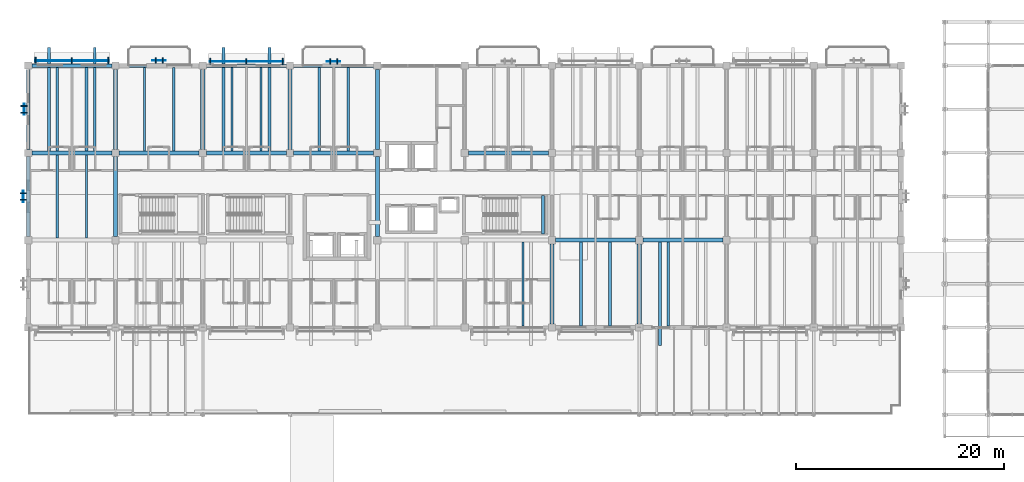
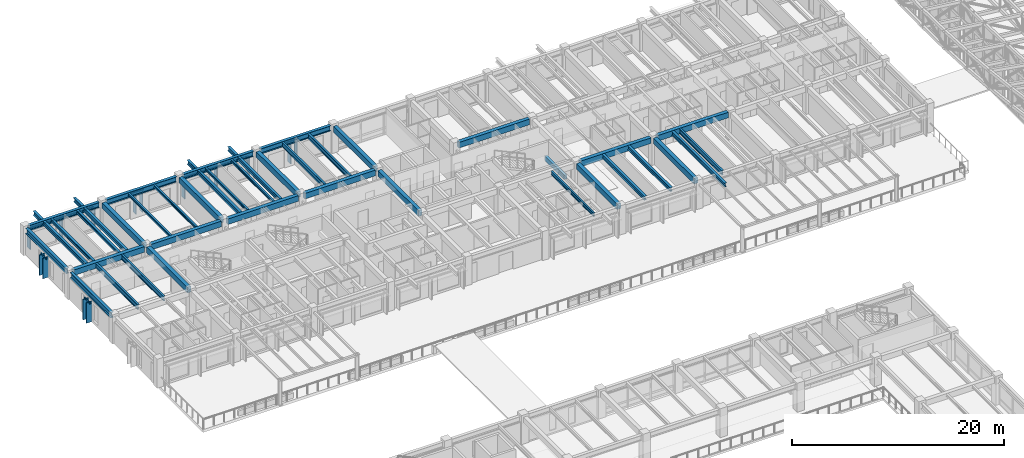
# One storey, part 16 of 111: 41 beams, 20 members, 6 elements without a shape of their own.
"""IFC4 building model written with IfcOpenShell, lengths in metres."""

from ifc_helpers import new_model, si_unit, direction, frame, origin, origin_2d, place, context, subcontext, project, spatial, rectangle, i_section, extrude, material, material_profile, profile_set, type_object, element, aggregate, save


model = new_model("IFC4")

# Units and contexts
model_context = context("Model", 3, precision=1e-05, world=origin(), true_north=direction((0.0, 1.0)))
body_context = subcontext(model_context, "Body", "Model", "MODEL_VIEW")
ifc_project = project(units=[si_unit("LENGTHUNIT", "METRE"), si_unit("AREAUNIT", "SQUARE_METRE"), si_unit("VOLUMEUNIT", "CUBIC_METRE"), si_unit("PLANEANGLEUNIT", "RADIAN"), si_unit("MASSUNIT", "GRAM", prefix="KILO")], contexts=[model_context])

# Site, building, storey
site_placement = place(None, origin())
site = spatial("IfcSite", under=ifc_project, at=site_placement, CompositionType="ELEMENT")
building_placement = place(site_placement, origin())
building = spatial("IfcBuilding", under=site, at=building_placement, Name="Cumbredor Promenade Congress Hotel", CompositionType="ELEMENT")
storey_placement = place(building_placement, frame((0.0, 0.0, 15.1201171875)))
storey = spatial("IfcBuildingStorey", under=building, at=storey_placement, Name="L04", CompositionType="ELEMENT", Elevation=15.1201171875)

# Beams
ifc_material_1 = material(Name="Concrete C40/50", Category="concrete")
ifc_material_profile_1 = material_profile(ifc_material_1, rectangle(XDim=0.39990234375, YDim=0.64990234375, at=origin_2d()), Name="RC BEAM 400x650")
ifc_profile_set_1 = profile_set([ifc_material_profile_1], Name="Concrete C40/50")
beam_type_1 = type_object("IfcBeamType", Name="BM-RC-400x650", PredefinedType="BEAM", material=ifc_profile_set_1)
beam_1_placement = place(storey_placement, frame((0.35009765625, 109.199951171875, 2.794921875), z_axis=(1.0, 0.0, 0.0), x_axis=(0.0, 1.0, 0.0)))
element("IfcBeam", 1, at=beam_1_placement, inside=storey, type_object=beam_type_1, Name="L05 X-Grid Beam 005", PredefinedType="BEAM", context=body_context, shape_type="SweptSolid", body=[
    extrude(rectangle(XDim=0.39990234375, YDim=0.64990234375, at=origin_2d()), origin(), (0.0, 0.0, 1.0), 7.699951171875),
])
beam_2_placement = place(storey_placement, frame((8.39990234375, 101.14990234375, 2.794921875), z_axis=(0.0, 1.0, 0.0), x_axis=(-1.0, 0.0, 0.0)))
element("IfcBeam", 2, at=beam_2_placement, inside=storey, type_object=beam_type_1, Name="L05 Y-Grid Beam 026", PredefinedType="BEAM", context=body_context, shape_type="SweptSolid", body=[
    extrude(rectangle(XDim=0.39990234375, YDim=0.64990234375, at=origin_2d()), origin(), (0.0, 0.0, 1.0), 7.7001953125),
])
for number, where, z_axis, x_axis, name in (
    (3, (8.75, 109.199951171875, 2.794921875), (1.0, 0.0, 0.0), (0.0, 1.0, 0.0), "L05 X-Grid Beam 027"),
    (4, (8.39990234375, 109.550048828125, 2.794921875), (0.0, 1.0, 0.0), (-1.0, 0.0, 0.0), "L05 Y-Grid Beam 028"),
):
    element("IfcBeam", number, at=place(storey_placement, frame(where, z_axis=z_axis, x_axis=x_axis)), inside=storey, type_object=beam_type_1, Name=name, PredefinedType="BEAM", context=body_context, shape_type="SweptSolid", body=[
        extrude(rectangle(XDim=0.39990234375, YDim=0.64990234375, at=origin_2d()), origin(), (0.0, 0.0, 1.0), 7.699951171875),
    ])
beam_3_placement = place(storey_placement, frame((17.14990234375, 109.199951171875, 2.794921875), z_axis=(1.0, 0.0, 0.0), x_axis=(0.0, 1.0, 0.0)))
element("IfcBeam", 5, at=beam_3_placement, inside=storey, type_object=beam_type_1, Name="L05 X-Grid Beam 042", PredefinedType="BEAM", context=body_context, shape_type="SweptSolid", body=[
    extrude(rectangle(XDim=0.39990234375, YDim=0.64990234375, at=origin_2d()), origin(), (0.0, 0.0, 1.0), 7.7001953125),
])
for number, where, z_axis, x_axis, name in (
    (6, (16.800048828125, 109.550048828125, 2.794921875), (0.0, 1.0, 0.0), (-1.0, 0.0, 0.0), "L05 Y-Grid Beam 043"),
    (7, (25.550048828125, 109.199951171875, 2.794921875), (1.0, 0.0, 0.0), (0.0, 1.0, 0.0), "L05 X-Grid Beam 052"),
    (8, (25.199951171875, 109.550048828125, 2.794921875), (0.0, 1.0, 0.0), (-1.0, 0.0, 0.0), "L05 Y-Grid Beam 053"),
):
    element("IfcBeam", number, at=place(storey_placement, frame(where, z_axis=z_axis, x_axis=x_axis)), inside=storey, type_object=beam_type_1, Name=name, PredefinedType="BEAM", context=body_context, shape_type="SweptSolid", body=[
        extrude(rectangle(XDim=0.39990234375, YDim=0.64990234375, at=origin_2d()), origin(), (0.0, 0.0, 1.0), 7.699951171875),
    ])
beam_4_placement = place(storey_placement, frame((33.60009765625, 101.14990234375, 2.794921875), z_axis=(0.0, 1.0, 0.0), x_axis=(-1.0, 0.0, 0.0)))
element("IfcBeam", 9, at=beam_4_placement, inside=storey, type_object=beam_type_1, Name="L05 Y-Grid Beam 063", PredefinedType="BEAM", context=body_context, shape_type="SweptSolid", body=[
    extrude(rectangle(XDim=0.39990234375, YDim=0.64990234375, at=origin_2d()), origin(), (0.0, 0.0, 1.0), 7.7001953125),
])
for number, where, z_axis, x_axis, name in (
    (10, (33.60009765625, 109.550048828125, 2.794921875), (0.0, 1.0, 0.0), (-1.0, 0.0, 0.0), "L05 Y-Grid Beam 064"),
    (11, (42.35009765625, 109.199951171875, 2.794921875), (1.0, 0.0, 0.0), (0.0, 1.0, 0.0), "L05 X-Grid Beam 074"),
    (12, (50.39990234375, 92.75, 2.794921875), (0.0, 1.0, 0.0), (-1.0, 0.0, 0.0), "L05 Y-Grid Beam 083"),
    (13, (50.75, 100.800048828125, 2.794921875), (1.0, 0.0, 0.0), (0.0, 1.0, 0.0), "L05 X-Grid Beam 084"),
    (14, (58.800048828125, 92.75, 2.794921875), (0.0, 1.0, 0.0), (-1.0, 0.0, 0.0), "L05 Y-Grid Beam 103"),
):
    element("IfcBeam", number, at=place(storey_placement, frame(where, z_axis=z_axis, x_axis=x_axis)), inside=storey, type_object=beam_type_1, Name=name, PredefinedType="BEAM", context=body_context, shape_type="SweptSolid", body=[
        extrude(rectangle(XDim=0.39990234375, YDim=0.64990234375, at=origin_2d()), origin(), (0.0, 0.0, 1.0), 7.699951171875),
    ])
beam_5_placement = place(storey_placement, frame((59.14990234375, 100.800048828125, 2.794921875), z_axis=(1.0, 0.0, 0.0), x_axis=(0.0, 1.0, 0.0)))
element("IfcBeam", 15, at=beam_5_placement, inside=storey, type_object=beam_type_1, Name="L05 X-Grid Beam 104", PredefinedType="BEAM", context=body_context, shape_type="SweptSolid", body=[
    extrude(rectangle(XDim=0.39990234375, YDim=0.64990234375, at=origin_2d()), origin(), (0.0, 0.0, 1.0), 7.7001953125),
])
ifc_material_2 = material(Name="Steel ASTM A992 Grade 50", Category="steel")
ifc_material_profile_2 = material_profile(ifc_material_2, i_section(OverallWidth=0.323974609375, OverallDepth=0.611083984375, WebThickness=0.0126953125, FlangeThickness=0.01904296875, at=origin_2d()), Name="W24X104")
ifc_profile_set_2 = profile_set([ifc_material_profile_2], Name="Steel ASTM A992 Grade 50")
beam_type_2 = type_object("IfcBeamType", Name="BM-W24X104", PredefinedType="BEAM", material=ifc_profile_set_2)
for number, where, z_axis, x_axis, name in (
    (16, (0.35009765625, 117.60009765625, 2.814453125), (1.0, 0.0, 0.0), (0.0, 1.0, 0.0), "L05 X-Grid Beam 007"),
    (17, (8.75, 117.60009765625, 2.814453125), (1.0, 0.0, 0.0), (0.0, 1.0, 0.0), "L05 X-Grid Beam 029"),
):
    element("IfcBeam", number, at=place(storey_placement, frame(where, z_axis=z_axis, x_axis=x_axis)), inside=storey, type_object=beam_type_2, Name=name, PredefinedType="BEAM", context=body_context, shape_type="SweptSolid", body=[
        extrude(i_section(OverallWidth=0.323974609375, OverallDepth=0.611083984375, WebThickness=0.0126953125, FlangeThickness=0.01904296875, at=origin_2d()), origin(), (0.0, 0.0, 1.0), 7.699951171875),
    ])
beam_6_placement = place(storey_placement, frame((17.14990234375, 117.60009765625, 2.814453125), z_axis=(1.0, 0.0, 0.0), x_axis=(0.0, 1.0, 0.0)))
element("IfcBeam", 18, at=beam_6_placement, inside=storey, type_object=beam_type_2, Name="L05 X-Grid Beam 044", PredefinedType="BEAM", context=body_context, shape_type="SweptSolid", body=[
    extrude(i_section(OverallWidth=0.323974609375, OverallDepth=0.611083984375, WebThickness=0.0126953125, FlangeThickness=0.01904296875, at=origin_2d()), origin(), (0.0, 0.0, 1.0), 7.7001953125),
])
beam_7_placement = place(storey_placement, frame((25.550048828125, 117.60009765625, 2.814453125), z_axis=(1.0, 0.0, 0.0), x_axis=(0.0, 1.0, 0.0)))
element("IfcBeam", 19, at=beam_7_placement, inside=storey, type_object=beam_type_2, Name="L05 X-Grid Beam 054", PredefinedType="BEAM", context=body_context, shape_type="SweptSolid", body=[
    extrude(i_section(OverallWidth=0.323974609375, OverallDepth=0.611083984375, WebThickness=0.0126953125, FlangeThickness=0.01904296875, at=origin_2d()), origin(), (0.0, 0.0, 1.0), 7.699951171875),
])

# Curtain wall, member
ifc_material_3 = material(Name="Thermally broken anodized aluminium and low-E glass", Category="aluminium")
curtain_wall_type = type_object("IfcCurtainWallType", Name="Solar Brise-Soleil Screen Assembly CW-07", PredefinedType="NOTDEFINED", material=ifc_material_3)
curtain_wall_1_placement = place(storey_placement, origin())
curtain_wall_1 = element("IfcCurtainWall", 20, at=curtain_wall_1_placement, inside=storey, type_object=curtain_wall_type, Name="L04 Hospitality Brise-Soleil Screen 074", PredefinedType="NOTDEFINED")
ifc_material_4 = material(Name="Thermally broken anodized aluminium", Category="aluminium")
ifc_material_profile_3 = material_profile(ifc_material_4, rectangle(XDim=0.06494140625, YDim=0.1298828125, at=origin_2d()), Name="ALU TRANSOM 65x130")
ifc_profile_set_3 = profile_set([ifc_material_profile_3], Name="Thermally broken anodized aluminium")
member_type_1 = type_object("IfcMemberType", Name="Curtain Wall Transom TR-01", PredefinedType="USERDEFINED", material=ifc_profile_set_3)
member_1_placement = place(storey_placement, frame((0.65087890625, 118.072509765625, 2.31396484375), z_axis=(1.0, 0.0, 0.0), x_axis=(0.0, 1.0, 0.0)))
member_1 = element("IfcMember", 21, at=member_1_placement, type_object=member_type_1, Name="L04 Brise-Soleil Screen Transom 074", ObjectType="TRANSOM", PredefinedType="USERDEFINED", context=body_context, shape_type="SweptSolid", body=[
    extrude(rectangle(XDim=0.06494140625, YDim=0.1298828125, at=origin_2d()), origin(), (0.0, 0.0, 1.0), 7.09814453125),
])

curtain_wall_2_placement = place(storey_placement, origin())
curtain_wall_2 = element("IfcCurtainWall", 22, at=curtain_wall_2_placement, inside=storey, type_object=curtain_wall_type, Name="L04 Veranda Solar Brise-Soleil Screen 763", PredefinedType="NOTDEFINED")
member_2_placement = place(storey_placement, frame((11.949951171875, 118.0849609375, 2.413818359375), z_axis=(1.0, 0.0, 0.0), x_axis=(0.0, 1.0, 0.0)))
member_2 = element("IfcMember", 23, at=member_2_placement, type_object=member_type_1, Name="L04 Brise-Soleil Header Tie 0765", ObjectType="TRANSOM", PredefinedType="USERDEFINED", context=body_context, shape_type="SweptSolid", body=[
    extrude(rectangle(XDim=0.06494140625, YDim=0.1298828125, at=origin_2d()), origin(), (0.0, 0.0, 1.0), 1.300048828125),
])

curtain_wall_3_placement = place(storey_placement, origin())
curtain_wall_3 = element("IfcCurtainWall", 24, at=curtain_wall_3_placement, inside=storey, type_object=curtain_wall_type, Name="L04 Hospitality Brise-Soleil Screen 075", PredefinedType="NOTDEFINED")
member_3_placement = place(storey_placement, frame((17.450927734375, 117.989990234375, 2.31396484375), z_axis=(1.0, 0.0, 0.0), x_axis=(0.0, 1.0, 0.0)))
member_3 = element("IfcMember", 25, at=member_3_placement, type_object=member_type_1, Name="L04 Brise-Soleil Screen Transom 075", ObjectType="TRANSOM", PredefinedType="USERDEFINED", context=body_context, shape_type="SweptSolid", body=[
    extrude(rectangle(XDim=0.06494140625, YDim=0.1298828125, at=origin_2d()), origin(), (0.0, 0.0, 1.0), 7.09814453125),
])

curtain_wall_4_placement = place(storey_placement, origin())
curtain_wall_4 = element("IfcCurtainWall", 26, at=curtain_wall_4_placement, inside=storey, type_object=curtain_wall_type, Name="L04 Veranda Solar Brise-Soleil Screen 769", PredefinedType="NOTDEFINED")
member_4_placement = place(storey_placement, frame((28.75, 118.0, 2.413818359375), z_axis=(1.0, 0.0, 0.0), x_axis=(0.0, 1.0, 0.0)))
member_4 = element("IfcMember", 27, at=member_4_placement, type_object=member_type_1, Name="L04 Brise-Soleil Header Tie 0771", ObjectType="TRANSOM", PredefinedType="USERDEFINED", context=body_context, shape_type="SweptSolid", body=[
    extrude(rectangle(XDim=0.06494140625, YDim=0.1298828125, at=origin_2d()), origin(), (0.0, 0.0, 1.0), 1.300048828125),
])

curtain_wall_5_placement = place(storey_placement, origin())
curtain_wall_5 = element("IfcCurtainWall", 28, at=curtain_wall_5_placement, inside=storey, type_object=curtain_wall_type, Name="L04 Pier Brise-Soleil Screen 0790", PredefinedType="NOTDEFINED")
member_5_placement = place(storey_placement, frame((-0.485107421875, 104.449951171875, 2.333984375), z_axis=(0.0, 1.0, 0.0), x_axis=(-1.0, 0.0, 0.0)))
member_5 = element("IfcMember", 29, at=member_5_placement, type_object=member_type_1, Name="L04 Pier Brise-Soleil Header 0792", ObjectType="TRANSOM", PredefinedType="USERDEFINED", context=body_context, shape_type="SweptSolid", body=[
    extrude(rectangle(XDim=0.06494140625, YDim=0.1298828125, at=origin_2d()), origin(), (0.0, 0.0, 1.0), 1.10009765625),
])

curtain_wall_6_placement = place(storey_placement, origin())
curtain_wall_6 = element("IfcCurtainWall", 30, at=curtain_wall_6_placement, inside=storey, type_object=curtain_wall_type, Name="L04 Pier Brise-Soleil Screen 0793", PredefinedType="NOTDEFINED")
member_6_placement = place(storey_placement, frame((-0.389892578125, 112.85009765625, 2.333984375), z_axis=(0.0, 1.0, 0.0), x_axis=(-1.0, 0.0, 0.0)))
member_6 = element("IfcMember", 31, at=member_6_placement, type_object=member_type_1, Name="L04 Pier Brise-Soleil Header 0795", ObjectType="TRANSOM", PredefinedType="USERDEFINED", context=body_context, shape_type="SweptSolid", body=[
    extrude(rectangle(XDim=0.06494140625, YDim=0.1298828125, at=origin_2d()), origin(), (0.0, 0.0, 1.0), 1.099853515625),
])

# Beams
ifc_material_profile_4 = material_profile(ifc_material_2, i_section(OverallWidth=0.202880859375, OverallDepth=0.302978515625, WebThickness=0.007568359375, FlangeThickness=0.01318359375, at=origin_2d()), Name="W12X40")
ifc_profile_set_4 = profile_set([ifc_material_profile_4], Name="Steel ASTM A992 Grade 50")
beam_type_3 = type_object("IfcBeamType", Name="JST-W12X40", PredefinedType="JOIST", material=ifc_profile_set_4)
for number, where, z_axis, x_axis, name in (
    (32, (11.199951171875, 109.39990234375, 2.96826171875), (0.0, 1.0, 0.0), (-1.0, 0.0, 0.0), "L05 Secondary Floor Joist 0019"),
    (33, (14.0, 109.39990234375, 2.96826171875), (0.0, 1.0, 0.0), (-1.0, 0.0, 0.0), "L05 Secondary Floor Joist 0020"),
    (34, (19.60009765625, 109.39990234375, 2.96826171875), (0.0, 1.0, 0.0), (-1.0, 0.0, 0.0), "L05 Secondary Floor Joist 0024"),
    (35, (22.39990234375, 109.39990234375, 2.96826171875), (0.0, 1.0, 0.0), (-1.0, 0.0, 0.0), "L05 Secondary Floor Joist 0025"),
):
    element("IfcBeam", number, at=place(storey_placement, frame(where, z_axis=z_axis, x_axis=x_axis)), inside=storey, type_object=beam_type_3, Name=name, PredefinedType="JOIST", context=body_context, shape_type="SweptSolid", body=[
        extrude(i_section(OverallWidth=0.202880859375, OverallDepth=0.302978515625, WebThickness=0.007568359375, FlangeThickness=0.01318359375, at=origin_2d()), origin(), (0.0, 0.0, 1.0), 8.0380859375),
    ])
ifc_material_profile_5 = material_profile(ifc_material_2, i_section(OverallWidth=0.2548828125, OverallDepth=0.35693359375, WebThickness=0.010498046875, FlangeThickness=0.018310546875, at=origin_2d()), Name="W14X68")
ifc_profile_set_5 = profile_set([ifc_material_profile_5], Name="Steel ASTM A992 Grade 50")
beam_type_4 = type_object("IfcBeamType", Name="JST-W14X68", PredefinedType="JOIST", material=ifc_profile_set_5)
for number, where, z_axis, x_axis, name in (
    (36, (2.800048828125, 109.39990234375, 2.94140625), (0.0, 1.0, 0.0), (-1.0, 0.0, 0.0), "L05 Secondary Floor Joist 0005"),
    (37, (5.60009765625, 109.39990234375, 2.94140625), (0.0, 1.0, 0.0), (-1.0, 0.0, 0.0), "L05 Secondary Floor Joist 0006"),
):
    element("IfcBeam", number, at=place(storey_placement, frame(where, z_axis=z_axis, x_axis=x_axis)), inside=storey, type_object=beam_type_4, Name=name, PredefinedType="JOIST", context=body_context, shape_type="SweptSolid", body=[
        extrude(i_section(OverallWidth=0.2548828125, OverallDepth=0.35693359375, WebThickness=0.010498046875, FlangeThickness=0.018310546875, at=origin_2d()), origin(), (0.0, 0.0, 1.0), 8.0380859375),
    ])
ifc_material_profile_6 = material_profile(ifc_material_2, i_section(OverallWidth=0.180908203125, OverallDepth=0.4169921875, WebThickness=0.010986328125, FlangeThickness=0.018310546875, at=origin_2d()), Name="W16X57")
ifc_profile_set_6 = profile_set([ifc_material_profile_6], Name="Steel ASTM A992 Grade 50")
beam_type_5 = type_object("IfcBeamType", Name="JST-W16X57", PredefinedType="JOIST", material=ifc_profile_set_6)
beam_8_placement = place(storey_placement, frame((47.60009765625, 92.56201171875, 2.911376953125), z_axis=(0.0, 1.0, 0.0), x_axis=(-1.0, 0.0, 0.0)))
element("IfcBeam", 38, at=beam_8_placement, inside=storey, type_object=beam_type_5, Name="L05 Secondary Floor Joist 0037", PredefinedType="JOIST", context=body_context, shape_type="SweptSolid", body=[
    extrude(i_section(OverallWidth=0.180908203125, OverallDepth=0.4169921875, WebThickness=0.010986328125, FlangeThickness=0.018310546875, at=origin_2d()), origin(), (0.0, 0.0, 1.0), 8.0380859375),
])
ifc_material_profile_7 = material_profile(ifc_material_2, i_section(OverallWidth=0.280029296875, OverallDepth=0.462890625, WebThickness=0.0107421875, FlangeThickness=0.017333984375, at=origin_2d()), Name="W18X76")
ifc_profile_set_7 = profile_set([ifc_material_profile_7], Name="Steel ASTM A992 Grade 50")
beam_type_6 = type_object("IfcBeamType", Name="JST-W18X76", PredefinedType="JOIST", material=ifc_profile_set_7)
for number, where, z_axis, x_axis, name in (
    (39, (2.0, 109.199951171875, 2.888427734375), (0.0, 1.0, 0.0), (-1.0, 0.0, 0.0), "L05 Balcony Back-Spanned Outrigger Beam 025.1"),
    (40, (6.39990234375, 109.199951171875, 2.888427734375), (0.0, 1.0, 0.0), (-1.0, 0.0, 0.0), "L05 Balcony Back-Spanned Outrigger Beam 025.2"),
    (41, (18.800048828125, 109.199951171875, 2.888427734375), (0.0, 1.0, 0.0), (-1.0, 0.0, 0.0), "L05 Balcony Back-Spanned Outrigger Beam 026.1"),
    (42, (23.199951171875, 109.199951171875, 2.888427734375), (0.0, 1.0, 0.0), (-1.0, 0.0, 0.0), "L05 Balcony Back-Spanned Outrigger Beam 026.2"),
    (43, (60.800048828125, 90.64990234375, 2.888427734375), (0.0, 1.0, 0.0), (-1.0, 0.0, 0.0), "L05 Balcony Back-Spanned Outrigger Beam 032.1"),
):
    element("IfcBeam", number, at=place(storey_placement, frame(where, z_axis=z_axis, x_axis=x_axis)), inside=storey, type_object=beam_type_6, Name=name, PredefinedType="JOIST", context=body_context, shape_type="SweptSolid", body=[
        extrude(i_section(OverallWidth=0.280029296875, OverallDepth=0.462890625, WebThickness=0.0107421875, FlangeThickness=0.017333984375, at=origin_2d()), origin(), (0.0, 0.0, 1.0), 10.150146484375),
    ])
for number, where, z_axis, x_axis, name in (
    (44, (53.199951171875, 92.56201171875, 2.888427734375), (0.0, 1.0, 0.0), (-1.0, 0.0, 0.0), "L05 Secondary Floor Joist 0042"),
    (45, (56.0, 92.56201171875, 2.888427734375), (0.0, 1.0, 0.0), (-1.0, 0.0, 0.0), "L05 Secondary Floor Joist 0043"),
):
    element("IfcBeam", number, at=place(storey_placement, frame(where, z_axis=z_axis, x_axis=x_axis)), inside=storey, type_object=beam_type_6, Name=name, PredefinedType="JOIST", context=body_context, shape_type="SweptSolid", body=[
        extrude(i_section(OverallWidth=0.280029296875, OverallDepth=0.462890625, WebThickness=0.0107421875, FlangeThickness=0.017333984375, at=origin_2d()), origin(), (0.0, 0.0, 1.0), 8.0380859375),
    ])
ifc_material_profile_8 = material_profile(ifc_material_2, i_section(OverallWidth=0.214111328125, OverallDepth=0.549072265625, WebThickness=0.0146484375, FlangeThickness=0.023681640625, at=origin_2d()), Name="W21X93")
ifc_profile_set_8 = profile_set([ifc_material_profile_8], Name="Steel ASTM A992 Grade 50")
beam_type_7 = type_object("IfcBeamType", Name="JST-W21X93", PredefinedType="JOIST", material=ifc_profile_set_8)
for number, where, z_axis, x_axis, name in (
    (46, (2.800048828125, 101.0, 2.845458984375), (0.0, 1.0, 0.0), (-1.0, 0.0, 0.0), "L05 Secondary Floor Joist 0003"),
    (47, (5.60009765625, 101.0, 2.845458984375), (0.0, 1.0, 0.0), (-1.0, 0.0, 0.0), "L05 Secondary Floor Joist 0004"),
):
    element("IfcBeam", number, at=place(storey_placement, frame(where, z_axis=z_axis, x_axis=x_axis)), inside=storey, type_object=beam_type_7, Name=name, PredefinedType="JOIST", context=body_context, shape_type="SweptSolid", body=[
        extrude(i_section(OverallWidth=0.214111328125, OverallDepth=0.549072265625, WebThickness=0.0146484375, FlangeThickness=0.023681640625, at=origin_2d()), origin(), (0.0, 0.0, 1.0), 8.0),
    ])
for number, where, z_axis, x_axis, name in (
    (48, (28.0, 109.39990234375, 2.845458984375), (0.0, 1.0, 0.0), (-1.0, 0.0, 0.0), "L05 Secondary Floor Joist 0028"),
    (49, (30.800048828125, 109.39990234375, 2.845458984375), (0.0, 1.0, 0.0), (-1.0, 0.0, 0.0), "L05 Secondary Floor Joist 0029"),
    (50, (61.60009765625, 92.56201171875, 2.845458984375), (0.0, 1.0, 0.0), (-1.0, 0.0, 0.0), "L05 Secondary Floor Joist 0058"),
):
    element("IfcBeam", number, at=place(storey_placement, frame(where, z_axis=z_axis, x_axis=x_axis)), inside=storey, type_object=beam_type_7, Name=name, PredefinedType="JOIST", context=body_context, shape_type="SweptSolid", body=[
        extrude(i_section(OverallWidth=0.214111328125, OverallDepth=0.549072265625, WebThickness=0.0146484375, FlangeThickness=0.023681640625, at=origin_2d()), origin(), (0.0, 0.0, 1.0), 8.0380859375),
    ])
ifc_material_profile_9 = material_profile(ifc_material_1, rectangle(XDim=0.300048828125, YDim=0.5, at=origin_2d()), Name="RC LINTEL 300x500")
ifc_profile_set_9 = profile_set([ifc_material_profile_9], Name="Concrete C40/50")
beam_type_8 = type_object("IfcBeamType", Name="LN-RC-300x500", PredefinedType="LINTEL", material=ifc_profile_set_9)
beam_9_placement = place(storey_placement, frame((49.550048828125, 101.3701171875, 1.22998046875), z_axis=(0.0, 1.0, 0.0), x_axis=(-1.0, 0.0, 0.0)))
element("IfcBeam", 51, at=beam_9_placement, inside=storey, type_object=beam_type_8, Name="L04 Stair ST-03 Landing Ledger Beam E", PredefinedType="LINTEL", context=body_context, shape_type="SweptSolid", body=[
    extrude(rectangle(XDim=0.300048828125, YDim=0.5, at=origin_2d()), origin(), (0.0, 0.0, 1.0), 3.72998046875),
])
ifc_material_profile_10 = material_profile(ifc_material_2, i_section(OverallWidth=0.323974609375, OverallDepth=0.611083984375, WebThickness=0.0126953125, FlangeThickness=0.01904296875, at=origin_2d()), Name="W24X104")
ifc_profile_set_10 = profile_set([ifc_material_profile_10], Name="Steel ASTM A992 Grade 50")
beam_type_9 = type_object("IfcBeamType", Name="SP-W24X104", PredefinedType="SPANDREL", material=ifc_profile_set_10)
beam_10_placement = place(storey_placement, frame((0.0, 101.14990234375, 2.814453125), z_axis=(0.0, 1.0, 0.0), x_axis=(-1.0, 0.0, 0.0)))
element("IfcBeam", 52, at=beam_10_placement, inside=storey, type_object=beam_type_9, Name="L05 Y-Grid Beam 004", PredefinedType="SPANDREL", context=body_context, shape_type="SweptSolid", body=[
    extrude(i_section(OverallWidth=0.323974609375, OverallDepth=0.611083984375, WebThickness=0.0126953125, FlangeThickness=0.01904296875, at=origin_2d()), origin(), (0.0, 0.0, 1.0), 7.7001953125),
])
beam_11_placement = place(storey_placement, frame((0.0, 109.550048828125, 2.814453125), z_axis=(0.0, 1.0, 0.0), x_axis=(-1.0, 0.0, 0.0)))
element("IfcBeam", 53, at=beam_11_placement, inside=storey, type_object=beam_type_9, Name="L05 Y-Grid Beam 006", PredefinedType="SPANDREL", context=body_context, shape_type="SweptSolid", body=[
    extrude(i_section(OverallWidth=0.323974609375, OverallDepth=0.611083984375, WebThickness=0.0126953125, FlangeThickness=0.01904296875, at=origin_2d()), origin(), (0.0, 0.0, 1.0), 7.699951171875),
])

# Member
ifc_material_profile_11 = material_profile(ifc_material_4, rectangle(XDim=0.110107421875, YDim=0.6201171875, at=origin_2d()), Name="ARCH FIN 110x620")
ifc_profile_set_11 = profile_set([ifc_material_profile_11], Name="Thermally broken anodized aluminium")
member_type_2 = type_object("IfcMemberType", Name="Vertical Bronze Brise-Soleil Fin BSF-02 110x620", PredefinedType="USERDEFINED", material=ifc_profile_set_11)
member_7_placement = place(storey_placement, frame((0.700927734375, 118.072509765625, 0.019775390625), z_axis=(0.0, 0.0, 1.0), x_axis=(1.0, 0.0, 0.0)))
member_7 = element("IfcMember", 54, at=member_7_placement, type_object=member_type_2, Name="L04 Vertical Brise-Soleil Fin 0760", ObjectType="SOLAR FIN", PredefinedType="USERDEFINED", context=body_context, shape_type="SweptSolid", body=[
    extrude(rectangle(XDim=0.110107421875, YDim=0.6201171875, at=origin_2d()), origin(), (0.0, 0.0, 1.0), 2.35400390625),
])

member_8_placement = place(storey_placement, frame((7.698974609375, 118.072509765625, 0.019775390625), z_axis=(0.0, 0.0, 1.0), x_axis=(1.0, 0.0, 0.0)))
member_8 = element("IfcMember", 55, at=member_8_placement, type_object=member_type_2, Name="L04 Vertical Brise-Soleil Fin 0762", ObjectType="SOLAR FIN", PredefinedType="USERDEFINED", context=body_context, shape_type="SweptSolid", body=[
    extrude(rectangle(XDim=0.110107421875, YDim=0.6201171875, at=origin_2d()), origin(), (0.0, 0.0, 1.0), 2.35400390625),
])

member_9_placement = place(storey_placement, frame((17.5009765625, 117.989990234375, 0.019775390625), z_axis=(0.0, 0.0, 1.0), x_axis=(1.0, 0.0, 0.0)))
member_9 = element("IfcMember", 56, at=member_9_placement, type_object=member_type_2, Name="L04 Vertical Brise-Soleil Fin 0766", ObjectType="SOLAR FIN", PredefinedType="USERDEFINED", context=body_context, shape_type="SweptSolid", body=[
    extrude(rectangle(XDim=0.110107421875, YDim=0.6201171875, at=origin_2d()), origin(), (0.0, 0.0, 1.0), 2.35400390625),
])

member_10_placement = place(storey_placement, frame((24.4990234375, 117.989990234375, 0.019775390625), z_axis=(0.0, 0.0, 1.0), x_axis=(1.0, 0.0, 0.0)))
member_10 = element("IfcMember", 57, at=member_10_placement, type_object=member_type_2, Name="L04 Vertical Brise-Soleil Fin 0768", ObjectType="SOLAR FIN", PredefinedType="USERDEFINED", context=body_context, shape_type="SweptSolid", body=[
    extrude(rectangle(XDim=0.110107421875, YDim=0.6201171875, at=origin_2d()), origin(), (0.0, 0.0, 1.0), 2.35400390625),
])

member_11_placement = place(storey_placement, frame((-0.485107421875, 104.679931640625, 0.019775390625), z_axis=(0.0, 0.0, 1.0), x_axis=(0.0, 1.0, 0.0)))
member_11 = element("IfcMember", 58, at=member_11_placement, type_object=member_type_2, Name="L04 Pier Brise-Soleil Fin 0791", ObjectType="SOLAR FIN", PredefinedType="USERDEFINED", context=body_context, shape_type="SweptSolid", body=[
    extrude(rectangle(XDim=0.110107421875, YDim=0.6201171875, at=origin_2d()), origin(), (0.0, 0.0, 1.0), 2.35400390625),
])

member_12_placement = place(storey_placement, frame((-0.485107421875, 105.320068359375, 0.019775390625), z_axis=(0.0, 0.0, 1.0), x_axis=(0.0, 1.0, 0.0)))
member_12 = element("IfcMember", 59, at=member_12_placement, type_object=member_type_2, Name="L04 Pier Brise-Soleil Fin 0792", ObjectType="SOLAR FIN", PredefinedType="USERDEFINED", context=body_context, shape_type="SweptSolid", body=[
    extrude(rectangle(XDim=0.110107421875, YDim=0.6201171875, at=origin_2d()), origin(), (0.0, 0.0, 1.0), 2.35400390625),
])

aggregate(curtain_wall_5, [member_11, member_12, member_5])

member_13_placement = place(storey_placement, frame((-0.389892578125, 113.080078125, 0.019775390625), z_axis=(0.0, 0.0, 1.0), x_axis=(0.0, 1.0, 0.0)))
member_13 = element("IfcMember", 60, at=member_13_placement, type_object=member_type_2, Name="L04 Pier Brise-Soleil Fin 0794", ObjectType="SOLAR FIN", PredefinedType="USERDEFINED", context=body_context, shape_type="SweptSolid", body=[
    extrude(rectangle(XDim=0.110107421875, YDim=0.6201171875, at=origin_2d()), origin(), (0.0, 0.0, 1.0), 2.35400390625),
])

member_14_placement = place(storey_placement, frame((-0.389892578125, 113.719970703125, 0.019775390625), z_axis=(0.0, 0.0, 1.0), x_axis=(0.0, 1.0, 0.0)))
member_14 = element("IfcMember", 61, at=member_14_placement, type_object=member_type_2, Name="L04 Pier Brise-Soleil Fin 0795", ObjectType="SOLAR FIN", PredefinedType="USERDEFINED", context=body_context, shape_type="SweptSolid", body=[
    extrude(rectangle(XDim=0.110107421875, YDim=0.6201171875, at=origin_2d()), origin(), (0.0, 0.0, 1.0), 2.35400390625),
])

aggregate(curtain_wall_6, [member_13, member_14, member_6])

ifc_material_5 = material(Name="Kiln-dried tropical hardwood", Category="wood")
ifc_material_profile_12 = material_profile(ifc_material_5, rectangle(XDim=0.090087890625, YDim=0.550048828125, at=origin_2d()), Name="ARCH FIN 90x550")
ifc_profile_set_12 = profile_set([ifc_material_profile_12], Name="Kiln-dried tropical hardwood")
member_type_3 = type_object("IfcMemberType", Name="Vertical Hardwood Brise-Soleil Fin BSF-01 90x550", PredefinedType="USERDEFINED", material=ifc_profile_set_12)
member_15_placement = place(storey_placement, frame((4.199951171875, 118.072509765625, 0.019775390625), z_axis=(0.0, 0.0, 1.0), x_axis=(1.0, 0.0, 0.0)))
member_15 = element("IfcMember", 62, at=member_15_placement, type_object=member_type_3, Name="L04 Vertical Brise-Soleil Fin 0761", ObjectType="SOLAR FIN", PredefinedType="USERDEFINED", context=body_context, shape_type="SweptSolid", body=[
    extrude(rectangle(XDim=0.090087890625, YDim=0.550048828125, at=origin_2d()), origin(), (0.0, 0.0, 1.0), 2.35400390625),
])

aggregate(curtain_wall_1, [member_1, member_7, member_15, member_8])

member_16_placement = place(storey_placement, frame((12.25, 118.0849609375, -0.010009765625), z_axis=(0.0, 0.0, 1.0), x_axis=(1.0, 0.0, 0.0)))
member_16 = element("IfcMember", 63, at=member_16_placement, type_object=member_type_3, Name="L04 Vertical Hardwood Brise-Soleil Fin 0764", ObjectType="SOLAR FIN", PredefinedType="USERDEFINED", context=body_context, shape_type="SweptSolid", body=[
    extrude(rectangle(XDim=0.090087890625, YDim=0.550048828125, at=origin_2d()), origin(), (0.0, 0.0, 1.0), 2.48388671875),
])

member_17_placement = place(storey_placement, frame((12.949951171875, 118.0849609375, -0.010009765625), z_axis=(0.0, 0.0, 1.0), x_axis=(1.0, 0.0, 0.0)))
member_17 = element("IfcMember", 64, at=member_17_placement, type_object=member_type_3, Name="L04 Vertical Hardwood Brise-Soleil Fin 0765", ObjectType="SOLAR FIN", PredefinedType="USERDEFINED", context=body_context, shape_type="SweptSolid", body=[
    extrude(rectangle(XDim=0.090087890625, YDim=0.550048828125, at=origin_2d()), origin(), (0.0, 0.0, 1.0), 2.48388671875),
])

aggregate(curtain_wall_2, [member_16, member_17, member_2])

member_18_placement = place(storey_placement, frame((21.0, 117.989990234375, 0.019775390625), z_axis=(0.0, 0.0, 1.0), x_axis=(1.0, 0.0, 0.0)))
member_18 = element("IfcMember", 65, at=member_18_placement, type_object=member_type_3, Name="L04 Vertical Brise-Soleil Fin 0767", ObjectType="SOLAR FIN", PredefinedType="USERDEFINED", context=body_context, shape_type="SweptSolid", body=[
    extrude(rectangle(XDim=0.090087890625, YDim=0.550048828125, at=origin_2d()), origin(), (0.0, 0.0, 1.0), 2.35400390625),
])

aggregate(curtain_wall_3, [member_3, member_9, member_18, member_10])

member_19_placement = place(storey_placement, frame((29.050048828125, 118.0, -0.010009765625), z_axis=(0.0, 0.0, 1.0), x_axis=(1.0, 0.0, 0.0)))
member_19 = element("IfcMember", 66, at=member_19_placement, type_object=member_type_3, Name="L04 Vertical Hardwood Brise-Soleil Fin 0770", ObjectType="SOLAR FIN", PredefinedType="USERDEFINED", context=body_context, shape_type="SweptSolid", body=[
    extrude(rectangle(XDim=0.090087890625, YDim=0.550048828125, at=origin_2d()), origin(), (0.0, 0.0, 1.0), 2.48388671875),
])

member_20_placement = place(storey_placement, frame((29.75, 118.0, -0.010009765625), z_axis=(0.0, 0.0, 1.0), x_axis=(1.0, 0.0, 0.0)))
member_20 = element("IfcMember", 67, at=member_20_placement, type_object=member_type_3, Name="L04 Vertical Hardwood Brise-Soleil Fin 0771", ObjectType="SOLAR FIN", PredefinedType="USERDEFINED", context=body_context, shape_type="SweptSolid", body=[
    extrude(rectangle(XDim=0.090087890625, YDim=0.550048828125, at=origin_2d()), origin(), (0.0, 0.0, 1.0), 2.48388671875),
])

aggregate(curtain_wall_4, [member_19, member_20, member_4])

save(model, "model.ifc")
